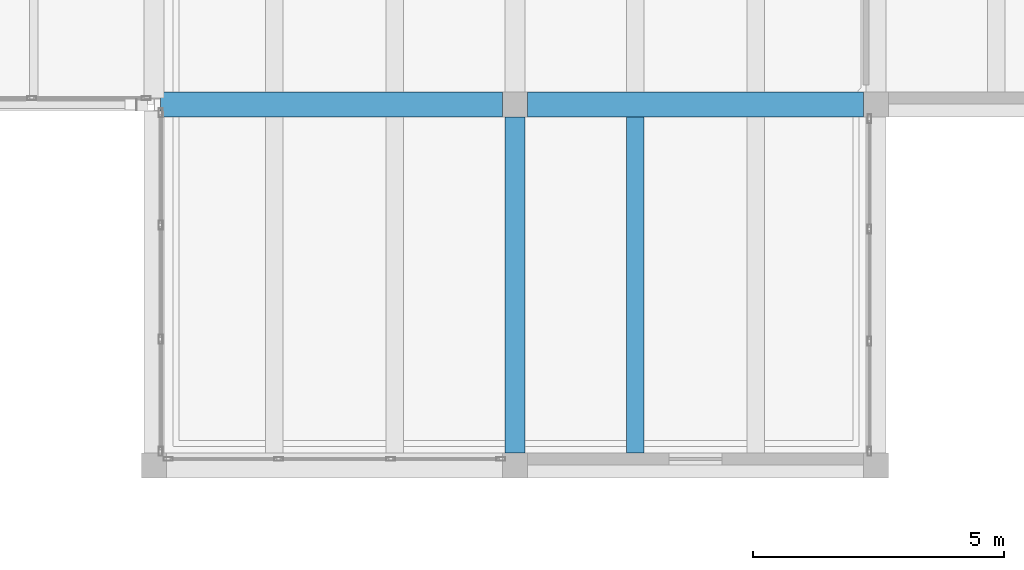
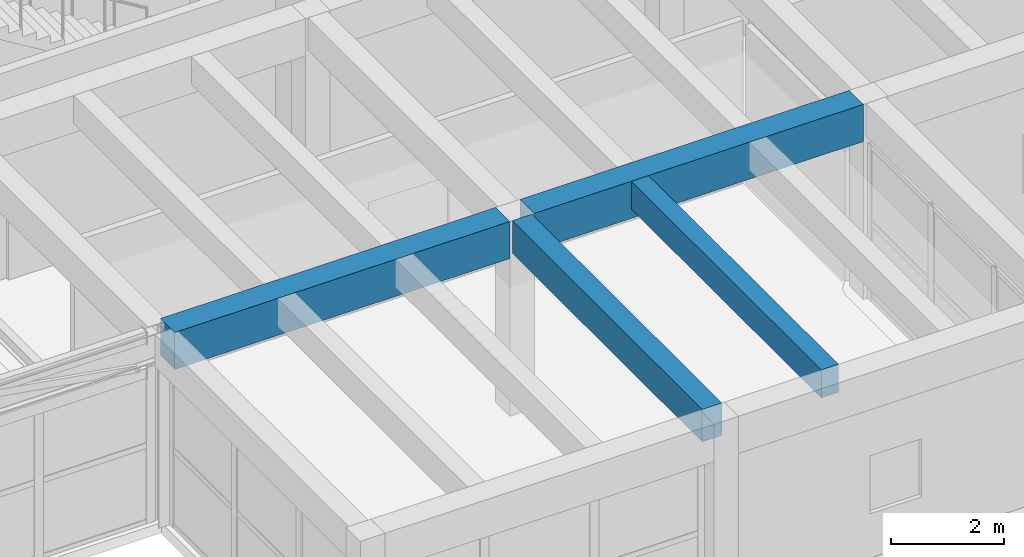
# One storey, part 49 of 153: 4 beams.
"""IFC4 building model written with IfcOpenShell, lengths in metres."""

from ifc_helpers import new_model, si_unit, direction, frame, origin, origin_2d, place, context, subcontext, project, spatial, rectangle, extrude, material, material_profile, profile_set, type_object, element, save


model = new_model("IFC4")

# Units and contexts
model_context = context("Model", 3, precision=1e-05, world=origin(), true_north=direction((0.0, 1.0)))
body_context = subcontext(model_context, "Body", "Model", "MODEL_VIEW")
ifc_project = project(units=[si_unit("LENGTHUNIT", "METRE"), si_unit("AREAUNIT", "SQUARE_METRE"), si_unit("VOLUMEUNIT", "CUBIC_METRE"), si_unit("PLANEANGLEUNIT", "RADIAN"), si_unit("MASSUNIT", "GRAM", prefix="KILO")], contexts=[model_context])

# Site, building, storey
site_placement = place(None, origin())
site = spatial("IfcSite", under=ifc_project, at=site_placement, CompositionType="ELEMENT")
building_placement = place(site_placement, origin())
building = spatial("IfcBuilding", under=site, at=building_placement, Name="Bramvelor Terrace Health Centre", CompositionType="ELEMENT")
storey_placement = place(building_placement, frame((0.0, 0.0, 4.800048828125)))
storey = spatial("IfcBuildingStorey", under=building, at=storey_placement, Name="L02", CompositionType="ELEMENT", Elevation=4.800048828125)

# Beams
ifc_material_1 = material(Name="Concrete C40/50", Category="concrete")
ifc_material_profile_1 = material_profile(ifc_material_1, rectangle(XDim=0.39990234375, YDim=0.699951171875, at=origin_2d()), Name="RC 400x700")
ifc_profile_set_1 = profile_set([ifc_material_profile_1], Name="Concrete C40/50")
beam_type_1 = type_object("IfcBeamType", Name="BM-RC-G700", PredefinedType="BEAM", material=ifc_profile_set_1)
beam_1_placement = place(storey_placement, frame((108.0, 43.449951171875, 3.849853515625), z_axis=(0.0, 1.0, 0.0), x_axis=(-1.0, 0.0, 0.0)))
element("IfcBeam", 1, at=beam_1_placement, inside=storey, type_object=beam_type_1, Name="L02 Floor Girder", PredefinedType="BEAM", context=body_context, shape_type="SweptSolid", body=[
    extrude(rectangle(XDim=0.39990234375, YDim=0.699951171875, at=origin_2d()), origin(), (0.0, 0.0, 1.0), 6.699951171875),
])
ifc_material_2 = material(Name="Concrete C40/50", Category="concrete")
ifc_material_profile_2 = material_profile(ifc_material_2, rectangle(XDim=0.5, YDim=0.800048828125, at=origin_2d()), Name="RC 500x800")
ifc_profile_set_2 = profile_set([ifc_material_profile_2], Name="Concrete C40/50")
beam_type_2 = type_object("IfcBeamType", Name="BM-RC-G800", PredefinedType="BEAM", material=ifc_profile_set_2)
beam_2_placement = place(storey_placement, frame((100.92822265625, 50.39990234375, 3.800048828125), z_axis=(1.0, 0.0, 0.0), x_axis=(0.0, 1.0, 0.0)))
element("IfcBeam", 2, at=beam_2_placement, inside=storey, type_object=beam_type_2, Name="L02 Floor Girder", PredefinedType="BEAM", context=body_context, shape_type="SweptSolid", body=[
    extrude(rectangle(XDim=0.5, YDim=0.800048828125, at=origin_2d()), origin(), (0.0, 0.0, 1.0), 6.82177734375),
])
beam_3_placement = place(storey_placement, frame((108.25, 50.39990234375, 3.800048828125), z_axis=(1.0, 0.0, 0.0), x_axis=(0.0, 1.0, 0.0)))
element("IfcBeam", 3, at=beam_3_placement, inside=storey, type_object=beam_type_2, Name="L02 Floor Girder", PredefinedType="BEAM", context=body_context, shape_type="SweptSolid", body=[
    extrude(rectangle(XDim=0.5, YDim=0.800048828125, at=origin_2d()), origin(), (0.0, 0.0, 1.0), 6.699951171875),
])
ifc_material_3 = material(Name="Concrete C40/50", Category="concrete")
ifc_material_profile_3 = material_profile(ifc_material_3, rectangle(XDim=0.35009765625, YDim=0.60009765625, at=origin_2d()), Name="RC 350x600")
ifc_profile_set_3 = profile_set([ifc_material_profile_3], Name="Concrete C40/50")
beam_type_3 = type_object("IfcBeamType", Name="BM-RC-J600", PredefinedType="JOIST", material=ifc_profile_set_3)
beam_4_placement = place(storey_placement, frame((110.39990234375, 43.449951171875, 3.89990234375), z_axis=(0.0, 1.0, 0.0), x_axis=(-1.0, 0.0, 0.0)))
element("IfcBeam", 4, at=beam_4_placement, inside=storey, type_object=beam_type_3, Name="L02 Secondary Floor Joist", PredefinedType="JOIST", context=body_context, shape_type="SweptSolid", body=[
    extrude(rectangle(XDim=0.35009765625, YDim=0.60009765625, at=origin_2d()), origin(), (0.0, 0.0, 1.0), 6.699951171875),
])

save(model, "model.ifc")
